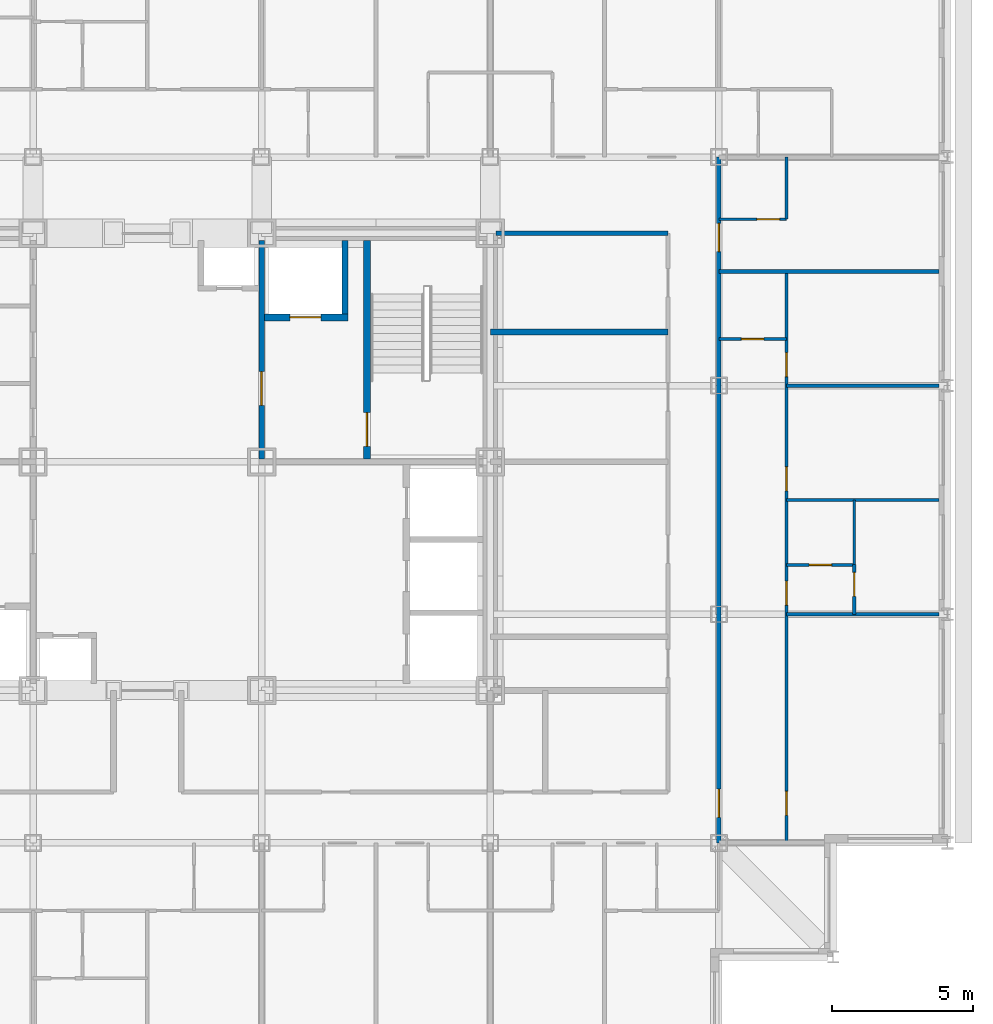
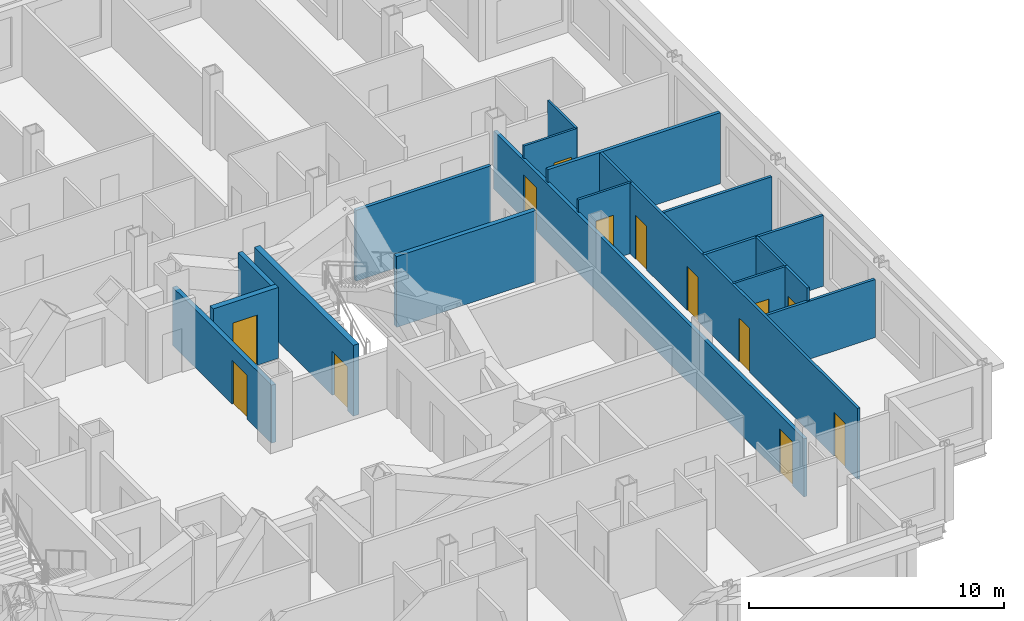
# One storey, part 8 of 12: 18 walls, 13 doors, 13 openings.
"""IFC4 building model written with IfcOpenShell, lengths in metres."""

from ifc_helpers import new_model, si_unit, direction, frame, frame_2d, origin, place, context, subcontext, project, spatial, rectangle, extrude, material, layer, layer_set, type_object, element, fill, save


model = new_model("IFC4")

# Units and contexts
model_context = context("Model", 3, precision=1e-05, world=origin(), true_north=direction((0.0, 1.0)))
body_context = subcontext(model_context, "Body", "Model", "MODEL_VIEW")
ifc_project = project(units=[si_unit("LENGTHUNIT", "METRE"), si_unit("AREAUNIT", "SQUARE_METRE"), si_unit("VOLUMEUNIT", "CUBIC_METRE"), si_unit("PLANEANGLEUNIT", "RADIAN"), si_unit("MASSUNIT", "GRAM", prefix="KILO")], contexts=[model_context])

# Site, building, storey
site_placement = place(None, origin())
site = spatial("IfcSite", under=ifc_project, at=site_placement, CompositionType="ELEMENT")
building_placement = place(site_placement, origin())
building = spatial("IfcBuilding", under=site, at=building_placement, Name="Kopane Lantern Tower", CompositionType="ELEMENT")
storey_placement = place(building_placement, frame((0.0, 0.0, 213.60009765625)))
storey = spatial("IfcBuildingStorey", under=building, at=storey_placement, Name="L55", CompositionType="ELEMENT", Elevation=213.60009765625)

# Wall, openings, doors
ifc_material_1 = material(Name="Gypsum board on steel studs", Category="steel")
ifc_layer_1 = layer(ifc_material_1, 0.1201171875)
ifc_layer_set_1 = layer_set([ifc_layer_1], Name="APARTMENT INTERNAL WALL 120")
wall_type_1 = type_object("IfcWallType", Name="APARTMENT INTERNAL WALL 120", PredefinedType="PARTITIONING", material=ifc_layer_set_1)
wall_1_placement = place(storey_placement, frame((51.0, 18.89990234375, 0.0), z_axis=(0.0, 0.0, 1.0), x_axis=(0.0, 1.0, 0.0)))
wall_1 = element("IfcWall", 1, at=wall_1_placement, inside=storey, type_object=wall_type_1, Name="Apartment Internal Wall 120 L55", PredefinedType="PARTITIONING", context=body_context, shape_type="SweptSolid", body=[
    extrude(rectangle(XDim=20.25, YDim=0.1201171875, at=frame_2d((10.125, 0.0))), origin(), (0.0, 0.0, 1.0), 3.389892578125),
])
opening_1_placement = place(wall_1_placement, frame((0.97509765625, 0.0, 0.0)))
opening_1 = element("IfcOpeningElement", 2, at=opening_1_placement, cuts=wall_1, Name="Opening L55-047", PredefinedType="OPENING", context=body_context, shape_type="SweptSolid", body=[
    extrude(rectangle(XDim=0.85009765625, YDim=2.10009765625, at=frame_2d((0.425048828125, 1.050048828125))), frame((0.0, 0.070068359375, 0.0), z_axis=(0.0, -1.0, 0.0), x_axis=(1.0, 0.0, 0.0)), (0.0, 0.0, 1.0), 0.14013671875),
])
opening_2_placement = place(wall_1_placement, frame((8.425048828125, 0.0, 0.0)))
opening_2 = element("IfcOpeningElement", 3, at=opening_2_placement, cuts=wall_1, Name="Opening L55-049", PredefinedType="OPENING", context=body_context, shape_type="SweptSolid", body=[
    extrude(rectangle(XDim=0.85009765625, YDim=2.10009765625, at=frame_2d((0.425048828125, 1.050048828125))), frame((0.0, 0.070068359375, 0.0), z_axis=(0.0, -1.0, 0.0), x_axis=(1.0, 0.0, 0.0)), (0.0, 0.0, 1.0), 0.14013671875),
])
opening_3_placement = place(wall_1_placement, frame((12.47509765625, 0.0, 0.0)))
opening_3 = element("IfcOpeningElement", 4, at=opening_3_placement, cuts=wall_1, Name="Opening L55-050", PredefinedType="OPENING", context=body_context, shape_type="SweptSolid", body=[
    extrude(rectangle(XDim=0.85009765625, YDim=2.10009765625, at=frame_2d((0.425048828125, 1.050048828125))), frame((0.0, 0.070068359375, 0.0), z_axis=(0.0, -1.0, 0.0), x_axis=(1.0, 0.0, 0.0)), (0.0, 0.0, 1.0), 0.14013671875),
])
opening_4_placement = place(wall_1_placement, frame((16.52490234375, 0.0, 0.0)))
opening_4 = element("IfcOpeningElement", 5, at=opening_4_placement, cuts=wall_1, Name="Opening L55-051", PredefinedType="OPENING", context=body_context, shape_type="SweptSolid", body=[
    extrude(rectangle(XDim=0.85009765625, YDim=2.10009765625, at=frame_2d((0.425048828125, 1.050048828125))), frame((0.0, 0.070068359375, 0.0), z_axis=(0.0, -1.0, 0.0), x_axis=(1.0, 0.0, 0.0)), (0.0, 0.0, 1.0), 0.14013671875),
])
ifc_material_2 = material(Name="Timber door set", Category="wood")
door_type_1 = type_object("IfcDoorType", Name="DOOR D4 850x2100", OperationType="SINGLE_SWING_LEFT", PredefinedType="DOOR", material=ifc_material_2)
door_1_placement = place(opening_1_placement, origin())
door_1 = element("IfcDoor", 6, at=door_1_placement, inside=storey, type_object=door_type_1, Name="Door L55-047", OperationType="SINGLE_SWING_LEFT", OverallHeight=2.10009765625, OverallWidth=0.85009765625, PredefinedType="DOOR", context=body_context, shape_type="SweptSolid", body=[
    extrude(rectangle(XDim=0.85009765625, YDim=2.10009765625, at=frame_2d((0.425048828125, 1.050048828125))), frame((0.0, 0.02490234375, 0.0), z_axis=(0.0, -1.0, 0.0), x_axis=(1.0, 0.0, 0.0)), (0.0, 0.0, 1.0), 0.050048828125),
])
fill(opening_1, door_1)
door_2_placement = place(opening_2_placement, origin())
door_2 = element("IfcDoor", 7, at=door_2_placement, inside=storey, type_object=door_type_1, Name="Door L55-049", OperationType="SINGLE_SWING_RIGHT", OverallHeight=2.10009765625, OverallWidth=0.85009765625, PredefinedType="DOOR", context=body_context, shape_type="SweptSolid", body=[
    extrude(rectangle(XDim=0.85009765625, YDim=2.10009765625, at=frame_2d((0.425048828125, 1.050048828125))), frame((0.0, 0.02490234375, 0.0), z_axis=(0.0, -1.0, 0.0), x_axis=(1.0, 0.0, 0.0)), (0.0, 0.0, 1.0), 0.050048828125),
])
fill(opening_2, door_2)
door_3_placement = place(opening_3_placement, origin())
door_3 = element("IfcDoor", 8, at=door_3_placement, inside=storey, type_object=door_type_1, Name="Door L55-050", OperationType="SINGLE_SWING_RIGHT", OverallHeight=2.10009765625, OverallWidth=0.85009765625, PredefinedType="DOOR", context=body_context, shape_type="SweptSolid", body=[
    extrude(rectangle(XDim=0.85009765625, YDim=2.10009765625, at=frame_2d((0.425048828125, 1.050048828125))), frame((0.0, 0.02490234375, 0.0), z_axis=(0.0, -1.0, 0.0), x_axis=(1.0, 0.0, 0.0)), (0.0, 0.0, 1.0), 0.050048828125),
])
fill(opening_3, door_3)
door_4_placement = place(opening_4_placement, origin())
door_4 = element("IfcDoor", 9, at=door_4_placement, inside=storey, type_object=door_type_1, Name="Door L55-051", OperationType="SINGLE_SWING_RIGHT", OverallHeight=2.10009765625, OverallWidth=0.85009765625, PredefinedType="DOOR", context=body_context, shape_type="SweptSolid", body=[
    extrude(rectangle(XDim=0.85009765625, YDim=2.10009765625, at=frame_2d((0.425048828125, 1.050048828125))), frame((0.0, 0.02490234375, 0.0), z_axis=(0.0, -1.0, 0.0), x_axis=(1.0, 0.0, 0.0)), (0.0, 0.0, 1.0), 0.050048828125),
])
fill(opening_4, door_4)

# Walls
wall_2_placement = place(storey_placement, frame((51.0, 27.0, 0.0), z_axis=(0.0, 0.0, 1.0), x_axis=(1.0, 0.0, 0.0)))
element("IfcWall", 10, at=wall_2_placement, inside=storey, type_object=wall_type_1, Name="Apartment Internal Wall 120 L55", PredefinedType="PARTITIONING", context=body_context, shape_type="SweptSolid", body=[
    extrude(rectangle(XDim=5.39990234375, YDim=0.1201171875, at=frame_2d((2.699951171875, 0.0))), origin(), (0.0, 0.0, 1.0), 2.777587890625),
])
wall_3_placement = place(storey_placement, frame((51.0, 31.050048828125, 0.0), z_axis=(0.0, 0.0, 1.0), x_axis=(1.0, 0.0, 0.0)))
element("IfcWall", 11, at=wall_3_placement, inside=storey, type_object=wall_type_1, Name="Apartment Internal Wall 120 L55", PredefinedType="PARTITIONING", context=body_context, shape_type="SweptSolid", body=[
    extrude(rectangle(XDim=5.39990234375, YDim=0.1201171875, at=frame_2d((2.699951171875, 0.0))), origin(), (0.0, 0.0, 1.0), 3.389892578125),
])
wall_4_placement = place(storey_placement, frame((51.0, 35.10009765625, 0.0), z_axis=(0.0, 0.0, 1.0), x_axis=(1.0, 0.0, 0.0)))
element("IfcWall", 12, at=wall_4_placement, inside=storey, type_object=wall_type_1, Name="Apartment Internal Wall 120 L55", PredefinedType="PARTITIONING", context=body_context, shape_type="SweptSolid", body=[
    extrude(rectangle(XDim=5.39990234375, YDim=0.1201171875, at=frame_2d((2.699951171875, 0.0))), origin(), (0.0, 0.0, 1.0), 2.777587890625),
])

# Wall, opening, door
wall_5_placement = place(storey_placement, frame((53.39990234375, 28.760009765625, 0.0), z_axis=(0.0, 0.0, 1.0), x_axis=(0.0, -1.0, 0.0)))
wall_5 = element("IfcWall", 13, at=wall_5_placement, inside=storey, type_object=wall_type_1, Name="Apartment Internal Wall 120 L55", PredefinedType="PARTITIONING", context=body_context, shape_type="SweptSolid", body=[
    extrude(rectangle(XDim=1.760009765625, YDim=0.1201171875, at=frame_2d((0.8798828125, 0.0))), origin(), (0.0, 0.0, 1.0), 3.389892578125),
])
opening_5_placement = place(wall_5_placement, frame((0.27490234375, 0.0, 0.0)))
opening_5 = element("IfcOpeningElement", 14, at=opening_5_placement, cuts=wall_5, Name="Opening L55-072", PredefinedType="OPENING", context=body_context, shape_type="SweptSolid", body=[
    extrude(rectangle(XDim=0.85009765625, YDim=2.10009765625, at=frame_2d((0.425048828125, 1.050048828125))), frame((0.0, 0.070068359375, 0.0), z_axis=(0.0, -1.0, 0.0), x_axis=(1.0, 0.0, 0.0)), (0.0, 0.0, 1.0), 0.14013671875),
])
door_5_placement = place(opening_5_placement, origin())
door_5 = element("IfcDoor", 15, at=door_5_placement, inside=storey, type_object=door_type_1, Name="Door L55-072", OperationType="SINGLE_SWING_RIGHT", OverallHeight=2.10009765625, OverallWidth=0.85009765625, PredefinedType="DOOR", context=body_context, shape_type="SweptSolid", body=[
    extrude(rectangle(XDim=0.85009765625, YDim=2.10009765625, at=frame_2d((0.425048828125, 1.050048828125))), frame((0.0, 0.02490234375, 0.0), z_axis=(0.0, -1.0, 0.0), x_axis=(1.0, 0.0, 0.0)), (0.0, 0.0, 1.0), 0.050048828125),
])
fill(opening_5, door_5)

ifc_material_3 = material(Name="Moisture-resistant board on steel studs", Category="steel")
ifc_layer_2 = layer(ifc_material_3, 0.10009765625)
ifc_layer_set_2 = layer_set([ifc_layer_2], Name="BATHROOM WALL 100")
wall_type_2 = type_object("IfcWallType", Name="BATHROOM WALL 100", PredefinedType="PARTITIONING", material=ifc_layer_set_2)
wall_6_placement = place(storey_placement, frame((48.60009765625, 36.75, 0.0), z_axis=(0.0, 0.0, 1.0), x_axis=(1.0, 0.0, 0.0)))
wall_6 = element("IfcWall", 16, at=wall_6_placement, inside=storey, type_object=wall_type_2, Name="Bathroom Wall 100 L55", PredefinedType="PARTITIONING", context=body_context, shape_type="SweptSolid", body=[
    extrude(rectangle(XDim=2.39990234375, YDim=0.10009765625, at=frame_2d((1.199951171875, 0.0))), origin(), (0.0, 0.0, 1.0), 3.389892578125),
])
opening_6_placement = place(wall_6_placement, frame((0.800048828125, 0.0, 0.0)))
opening_6 = element("IfcOpeningElement", 17, at=opening_6_placement, cuts=wall_6, Name="Opening L55-045", PredefinedType="OPENING", context=body_context, shape_type="SweptSolid", body=[
    extrude(rectangle(XDim=0.800048828125, YDim=2.10009765625, at=frame_2d((0.39990234375, 1.050048828125))), frame((0.0, 0.06005859375, 0.0), z_axis=(0.0, -1.0, 0.0), x_axis=(1.0, 0.0, 0.0)), (0.0, 0.0, 1.0), 0.1201171875),
])
ifc_material_4 = material(Name="Timber door set", Category="wood")
door_type_2 = type_object("IfcDoorType", Name="DOOR D2 800x2100", OperationType="SINGLE_SWING_LEFT", PredefinedType="DOOR", material=ifc_material_4)
door_6_placement = place(opening_6_placement, origin())
door_6 = element("IfcDoor", 18, at=door_6_placement, inside=storey, type_object=door_type_2, Name="Door L55-045", OperationType="SINGLE_SWING_LEFT", OverallHeight=2.10009765625, OverallWidth=0.800048828125, PredefinedType="DOOR", context=body_context, shape_type="SweptSolid", body=[
    extrude(rectangle(XDim=0.800048828125, YDim=2.10009765625, at=frame_2d((0.39990234375, 1.050048828125))), frame((0.0, 0.02490234375, 0.0), z_axis=(0.0, -1.0, 0.0), x_axis=(1.0, 0.0, 0.0)), (0.0, 0.0, 1.0), 0.050048828125),
])
fill(opening_6, door_6)

wall_7_placement = place(storey_placement, frame((51.0, 28.75, 0.0), z_axis=(0.0, 0.0, 1.0), x_axis=(1.0, 0.0, 0.0)))
wall_7 = element("IfcWall", 19, at=wall_7_placement, inside=storey, type_object=wall_type_2, Name="Bathroom Wall 100 L55", PredefinedType="PARTITIONING", context=body_context, shape_type="SweptSolid", body=[
    extrude(rectangle(XDim=2.39990234375, YDim=0.10009765625, at=frame_2d((1.199951171875, 0.0))), origin(), (0.0, 0.0, 1.0), 3.389892578125),
])
opening_7_placement = place(wall_7_placement, frame((0.800048828125, 0.0, 0.0)))
opening_7 = element("IfcOpeningElement", 20, at=opening_7_placement, cuts=wall_7, Name="Opening L55-048", PredefinedType="OPENING", context=body_context, shape_type="SweptSolid", body=[
    extrude(rectangle(XDim=0.800048828125, YDim=2.10009765625, at=frame_2d((0.39990234375, 1.050048828125))), frame((0.0, 0.06005859375, 0.0), z_axis=(0.0, -1.0, 0.0), x_axis=(1.0, 0.0, 0.0)), (0.0, 0.0, 1.0), 0.1201171875),
])
door_7_placement = place(opening_7_placement, origin())
door_7 = element("IfcDoor", 21, at=door_7_placement, inside=storey, type_object=door_type_2, Name="Door L55-048", OperationType="SINGLE_SWING_LEFT", OverallHeight=2.10009765625, OverallWidth=0.800048828125, PredefinedType="DOOR", context=body_context, shape_type="SweptSolid", body=[
    extrude(rectangle(XDim=0.800048828125, YDim=2.10009765625, at=frame_2d((0.39990234375, 1.050048828125))), frame((0.0, 0.02490234375, 0.0), z_axis=(0.0, -1.0, 0.0), x_axis=(1.0, 0.0, 0.0)), (0.0, 0.0, 1.0), 0.050048828125),
])
fill(opening_7, door_7)

# Walls
wall_8_placement = place(storey_placement, frame((53.39990234375, 28.75, 0.0), z_axis=(0.0, 0.0, 1.0), x_axis=(0.0, 1.0, 0.0)))
element("IfcWall", 22, at=wall_8_placement, inside=storey, type_object=wall_type_2, Name="Bathroom Wall 100 L55", PredefinedType="PARTITIONING", context=body_context, shape_type="SweptSolid", body=[
    extrude(rectangle(XDim=2.300048828125, YDim=0.10009765625, at=frame_2d((1.14990234375, 0.0))), origin(), (0.0, 0.0, 1.0), 3.389892578125),
])
wall_9_placement = place(storey_placement, frame((51.0, 41.0, 0.0), z_axis=(0.0, 0.0, 1.0), x_axis=(0.0, 1.0, 0.0)))
element("IfcWall", 23, at=wall_9_placement, inside=storey, type_object=wall_type_2, Name="Bathroom Wall 100 L55", PredefinedType="PARTITIONING", context=body_context, shape_type="SweptSolid", body=[
    extrude(rectangle(XDim=2.199951171875, YDim=0.10009765625, at=frame_2d((1.10009765625, 0.0))), origin(), (0.0, 0.0, 1.0), 3.389892578125),
])

# Wall, opening, door
wall_10_placement = place(storey_placement, frame((48.60009765625, 41.0, 0.0), z_axis=(0.0, 0.0, 1.0), x_axis=(1.0, 0.0, 0.0)))
wall_10 = element("IfcWall", 24, at=wall_10_placement, inside=storey, type_object=wall_type_2, Name="Bathroom Wall 100 L55", PredefinedType="PARTITIONING", context=body_context, shape_type="SweptSolid", body=[
    extrude(rectangle(XDim=2.39990234375, YDim=0.10009765625, at=frame_2d((1.199951171875, 0.0))), origin(), (0.0, 0.0, 1.0), 3.389892578125),
])
opening_8_placement = place(wall_10_placement, frame((1.35009765625, 0.0, 0.0)))
opening_8 = element("IfcOpeningElement", 25, at=opening_8_placement, cuts=wall_10, Name="Opening L55-052", PredefinedType="OPENING", context=body_context, shape_type="SweptSolid", body=[
    extrude(rectangle(XDim=0.800048828125, YDim=2.10009765625, at=frame_2d((0.39990234375, 1.050048828125))), frame((0.0, 0.06005859375, 0.0), z_axis=(0.0, -1.0, 0.0), x_axis=(1.0, 0.0, 0.0)), (0.0, 0.0, 1.0), 0.1201171875),
])
door_8_placement = place(opening_8_placement, origin())
door_8 = element("IfcDoor", 26, at=door_8_placement, inside=storey, type_object=door_type_2, Name="Door L55-052", OperationType="SINGLE_SWING_RIGHT", OverallHeight=2.10009765625, OverallWidth=0.800048828125, PredefinedType="DOOR", context=body_context, shape_type="SweptSolid", body=[
    extrude(rectangle(XDim=0.800048828125, YDim=2.10009765625, at=frame_2d((0.39990234375, 1.050048828125))), frame((0.0, 0.02490234375, 0.0), z_axis=(0.0, -1.0, 0.0), x_axis=(1.0, 0.0, 0.0)), (0.0, 0.0, 1.0), 0.050048828125),
])
fill(opening_8, door_8)

ifc_material_5 = material(Name="Gypsum shaft wall EI 120", Category="gypsum")
ifc_layer_3 = layer(ifc_material_5, 0.25)
ifc_layer_set_3 = layer_set([ifc_layer_3], Name="CORE SHAFT WALL 250 EI 120")
wall_type_3 = type_object("IfcWallType", Name="CORE SHAFT WALL 250 EI 120", PredefinedType="SOLIDWALL", material=ifc_layer_set_3)
wall_11_placement = place(storey_placement, frame((36.125, 32.5, 0.0), z_axis=(0.0, 0.0, 1.0), x_axis=(0.0, 1.0, 0.0)))
wall_11 = element("IfcWall", 27, at=wall_11_placement, inside=storey, type_object=wall_type_3, Name="Core shaft wall L55 XST2", PredefinedType="SOLIDWALL", context=body_context, shape_type="SweptSolid", body=[
    extrude(rectangle(XDim=7.75, YDim=0.25, at=frame_2d((3.875, 0.0))), origin(), (0.0, 0.0, 1.0), 3.389892578125),
])
opening_9_placement = place(wall_11_placement, frame((0.449951171875, 0.0, 0.0)))
opening_9 = element("IfcOpeningElement", 28, at=opening_9_placement, cuts=wall_11, Name="Opening 55.SD2", PredefinedType="OPENING", context=body_context, shape_type="SweptSolid", body=[
    extrude(rectangle(XDim=1.199951171875, YDim=2.10009765625, at=frame_2d((0.60009765625, 1.050048828125))), frame((0.0, 0.135009765625, 0.0), z_axis=(0.0, -1.0, 0.0), x_axis=(1.0, 0.0, 0.0)), (0.0, 0.0, 1.0), 0.27001953125),
])
ifc_material_6 = material(Name="Steel door set", Category="steel")
door_type_3 = type_object("IfcDoorType", Name="STAIR DOOR 1200x2100 FD60S", OperationType="SINGLE_SWING_LEFT", PredefinedType="DOOR", material=ifc_material_6)
door_9_placement = place(opening_9_placement, origin())
door_9 = element("IfcDoor", 29, at=door_9_placement, inside=storey, type_object=door_type_3, Name="Stair door ST2 L55", OperationType="SINGLE_SWING_RIGHT", OverallHeight=2.10009765625, OverallWidth=1.199951171875, PredefinedType="DOOR", context=body_context, shape_type="SweptSolid", body=[
    extrude(rectangle(XDim=1.199951171875, YDim=2.10009765625, at=frame_2d((0.60009765625, 1.050048828125))), frame((0.0, 0.02490234375, 0.0), z_axis=(0.0, -1.0, 0.0), x_axis=(1.0, 0.0, 0.0)), (0.0, 0.0, 1.0), 0.050048828125),
])
fill(opening_9, door_9)

wall_12_placement = place(storey_placement, frame((32.5, 37.52490234375, 0.0), z_axis=(0.0, 0.0, 1.0), x_axis=(1.0, 0.0, 0.0)))
wall_12 = element("IfcWall", 30, at=wall_12_placement, inside=storey, type_object=wall_type_3, Name="Core shaft wall L55 YLF2", PredefinedType="SOLIDWALL", context=body_context, shape_type="SweptSolid", body=[
    extrude(rectangle(XDim=2.949951171875, YDim=0.25, at=frame_2d((1.47509765625, 0.0))), origin(), (0.0, 0.0, 1.0), 3.389892578125),
])
opening_10_placement = place(wall_12_placement, frame((0.89990234375, 0.0, 0.0)))
opening_10 = element("IfcOpeningElement", 31, at=opening_10_placement, cuts=wall_12, Name="Opening 55.LD-LF2", PredefinedType="OPENING", context=body_context, shape_type="SweptSolid", body=[
    extrude(rectangle(XDim=1.10009765625, YDim=2.39990234375, at=frame_2d((0.550048828125, 1.199951171875))), frame((0.0, 0.135009765625, 0.0), z_axis=(0.0, -1.0, 0.0), x_axis=(1.0, 0.0, 0.0)), (0.0, 0.0, 1.0), 0.27001953125),
])
ifc_material_7 = material(Name="Steel door set", Category="steel")
door_type_4 = type_object("IfcDoorType", Name="LIFT LANDING DOOR 1100x2400 FD60", OperationType="DOUBLE_DOOR_SLIDING", PredefinedType="DOOR", material=ifc_material_7)
door_10_placement = place(opening_10_placement, origin())
door_10 = element("IfcDoor", 32, at=door_10_placement, inside=storey, type_object=door_type_4, Name="Landing door LF2 L55", OperationType="DOUBLE_DOOR_SLIDING", OverallHeight=2.39990234375, OverallWidth=1.10009765625, PredefinedType="DOOR", context=body_context, shape_type="SweptSolid", body=[
    extrude(rectangle(XDim=1.10009765625, YDim=2.39990234375, at=frame_2d((0.550048828125, 1.199951171875))), frame((0.0, 0.02490234375, 0.0), z_axis=(0.0, -1.0, 0.0), x_axis=(1.0, 0.0, 0.0)), (0.0, 0.0, 1.0), 0.050048828125),
])
fill(opening_10, door_10)

# Wall, openings, doors
ifc_material_8 = material(Name="Gypsum board on steel studs", Category="steel")
ifc_layer_4 = layer(ifc_material_8, 0.14990234375)
ifc_layer_set_4 = layer_set([ifc_layer_4], Name="CORRIDOR WALL 150 EI 60")
wall_type_4 = type_object("IfcWallType", Name="CORRIDOR WALL 150 EI 60", PredefinedType="PARTITIONING", material=ifc_layer_set_4)
wall_13_placement = place(storey_placement, frame((48.60009765625, 18.89990234375, 0.0), z_axis=(0.0, 0.0, 1.0), x_axis=(0.0, 1.0, 0.0)))
wall_13 = element("IfcWall", 33, at=wall_13_placement, inside=storey, type_object=wall_type_4, Name="Corridor Wall 150 Ei 60 L55", PredefinedType="PARTITIONING", context=body_context, shape_type="SweptSolid", body=[
    extrude(rectangle(XDim=24.300048828125, YDim=0.14990234375, at=frame_2d((12.14990234375, 0.0))), origin(), (0.0, 0.0, 1.0), 2.777587890625),
])
opening_11_placement = place(wall_13_placement, frame((0.89990234375, 0.0, 0.0)))
opening_11 = element("IfcOpeningElement", 34, at=opening_11_placement, cuts=wall_13, Name="Opening L55-046", PredefinedType="OPENING", context=body_context, shape_type="SweptSolid", body=[
    extrude(rectangle(XDim=1.0, YDim=2.10009765625, at=frame_2d((0.5, 1.050048828125))), frame((0.0, 0.0849609375, 0.0), z_axis=(0.0, -1.0, 0.0), x_axis=(1.0, 0.0, 0.0)), (0.0, 0.0, 1.0), 0.169921875),
])
opening_12_placement = place(wall_13_placement, frame((20.949951171875, 0.0, 0.0)))
opening_12 = element("IfcOpeningElement", 35, at=opening_12_placement, cuts=wall_13, Name="Opening L55-053", PredefinedType="OPENING", context=body_context, shape_type="SweptSolid", body=[
    extrude(rectangle(XDim=1.0, YDim=2.10009765625, at=frame_2d((0.5, 1.050048828125))), frame((0.0, 0.0849609375, 0.0), z_axis=(0.0, -1.0, 0.0), x_axis=(1.0, 0.0, 0.0)), (0.0, 0.0, 1.0), 0.169921875),
])
ifc_material_9 = material(Name="Steel door set", Category="steel")
door_type_5 = type_object("IfcDoorType", Name="DOOR D3 1000x2100 FD30S", OperationType="SINGLE_SWING_LEFT", PredefinedType="DOOR", material=ifc_material_9)
door_11_placement = place(opening_11_placement, origin())
door_11 = element("IfcDoor", 36, at=door_11_placement, inside=storey, type_object=door_type_5, Name="Door L55-046", OperationType="SINGLE_SWING_RIGHT", OverallHeight=2.10009765625, OverallWidth=1.0, PredefinedType="DOOR", context=body_context, shape_type="SweptSolid", body=[
    extrude(rectangle(XDim=1.0, YDim=2.10009765625, at=frame_2d((0.5, 1.050048828125))), frame((0.0, 0.02490234375, 0.0), z_axis=(0.0, -1.0, 0.0), x_axis=(1.0, 0.0, 0.0)), (0.0, 0.0, 1.0), 0.050048828125),
])
fill(opening_11, door_11)
door_12_placement = place(opening_12_placement, origin())
door_12 = element("IfcDoor", 37, at=door_12_placement, inside=storey, type_object=door_type_5, Name="Door L55-053", OperationType="SINGLE_SWING_LEFT", OverallHeight=2.10009765625, OverallWidth=1.0, PredefinedType="DOOR", context=body_context, shape_type="SweptSolid", body=[
    extrude(rectangle(XDim=1.0, YDim=2.10009765625, at=frame_2d((0.5, 1.050048828125))), frame((0.0, 0.02490234375, 0.0), z_axis=(0.0, -1.0, 0.0), x_axis=(1.0, 0.0, 0.0)), (0.0, 0.0, 1.0), 0.050048828125),
])
fill(opening_12, door_12)

# Walls
wall_14_placement = place(storey_placement, frame((46.800048828125, 40.5, 0.0), z_axis=(0.0, 0.0, 1.0), x_axis=(-1.0, 0.0, 0.0)))
element("IfcWall", 38, at=wall_14_placement, inside=storey, type_object=wall_type_4, Name="Corridor Wall 150 Ei 60 L55", PredefinedType="PARTITIONING", context=body_context, shape_type="SweptSolid", body=[
    extrude(rectangle(XDim=6.10009765625, YDim=0.14990234375, at=frame_2d((3.050048828125, 0.0))), origin(), (0.0, 0.0, 1.0), 3.389892578125),
])
ifc_material_10 = material(Name="Gypsum board on steel studs", Category="steel")
ifc_layer_5 = layer(ifc_material_10, 0.14990234375)
ifc_layer_set_5 = layer_set([ifc_layer_5], Name="DEMISING WALL 150 EI 60")
wall_type_5 = type_object("IfcWallType", Name="DEMISING WALL 150 EI 60", PredefinedType="PARTITIONING", material=ifc_layer_set_5)
wall_15_placement = place(storey_placement, frame((48.60009765625, 39.14990234375, 0.0), z_axis=(0.0, 0.0, 1.0), x_axis=(1.0, 0.0, 0.0)))
element("IfcWall", 39, at=wall_15_placement, inside=storey, type_object=wall_type_5, Name="Demising Wall 150 Ei 60 L55", PredefinedType="PARTITIONING", context=body_context, shape_type="SweptSolid", body=[
    extrude(rectangle(XDim=7.7998046875, YDim=0.14990234375, at=frame_2d((3.89990234375, 0.0))), origin(), (0.0, 0.0, 1.0), 3.389892578125),
])
ifc_material_11 = material(Name="Concrete masonry", Category="masonry")
ifc_layer_6 = layer(ifc_material_11, 0.199951171875)
ifc_layer_set_6 = layer_set([ifc_layer_6], Name="PLANT ROOM WALL 200 EI 120")
wall_type_6 = type_object("IfcWallType", Name="PLANT ROOM WALL 200 EI 120", PredefinedType="SOLIDWALL", material=ifc_layer_set_6)
wall_16_placement = place(storey_placement, frame((46.800048828125, 37.003173828125, 0.0), z_axis=(0.0, 0.0, 1.0), x_axis=(-1.0, 0.0, 0.0)))
element("IfcWall", 40, at=wall_16_placement, inside=storey, type_object=wall_type_6, Name="Plant Room Wall 200 Ei 120 L55", PredefinedType="SOLIDWALL", context=body_context, shape_type="SweptSolid", body=[
    extrude(rectangle(XDim=6.300048828125, YDim=0.199951171875, at=frame_2d((3.14990234375, 0.0))), origin(), (0.0, 0.0, 1.0), 3.389892578125),
])

# Wall, opening, door
ifc_material_12 = material(Name="Gypsum shaft wall EI 120", Category="gypsum")
ifc_layer_7 = layer(ifc_material_12, 0.199951171875)
ifc_layer_set_7 = layer_set([ifc_layer_7], Name="SHAFT WALL 200 EI 120")
wall_type_7 = type_object("IfcWallType", Name="SHAFT WALL 200 EI 120", PredefinedType="SOLIDWALL", material=ifc_layer_set_7)
wall_17_placement = place(storey_placement, frame((32.39990234375, 32.5, 0.0), z_axis=(0.0, 0.0, 1.0), x_axis=(0.0, 1.0, 0.0)))
wall_17 = element("IfcWall", 41, at=wall_17_placement, inside=storey, type_object=wall_type_7, Name="Core shaft wall L55 X324", PredefinedType="SOLIDWALL", context=body_context, shape_type="SweptSolid", body=[
    extrude(rectangle(XDim=7.75, YDim=0.199951171875, at=frame_2d((3.875, 0.0))), origin(), (0.0, 0.0, 1.0), 2.777587890625),
])
opening_13_placement = place(wall_17_placement, frame((1.89990234375, 0.0, 0.0)))
opening_13 = element("IfcOpeningElement", 42, at=opening_13_placement, cuts=wall_17, Name="Opening 55.FL2", PredefinedType="OPENING", context=body_context, shape_type="SweptSolid", body=[
    extrude(rectangle(XDim=1.199951171875, YDim=2.10009765625, at=frame_2d((0.60009765625, 1.050048828125))), frame((0.0, 0.10986328125, 0.0), z_axis=(0.0, -1.0, 0.0), x_axis=(1.0, 0.0, 0.0)), (0.0, 0.0, 1.0), 0.219970703125),
])
ifc_material_13 = material(Name="Steel door set", Category="steel")
door_type_6 = type_object("IfcDoorType", Name="FIREFIGHTING LOBBY DOOR 1200x2100 FD60S", OperationType="SINGLE_SWING_RIGHT", PredefinedType="DOOR", material=ifc_material_13)
door_13_placement = place(opening_13_placement, origin())
door_13 = element("IfcDoor", 43, at=door_13_placement, inside=storey, type_object=door_type_6, Name="Firefighting lobby door FL2 L55", OperationType="SINGLE_SWING_LEFT", OverallHeight=2.10009765625, OverallWidth=1.199951171875, PredefinedType="DOOR", context=body_context, shape_type="SweptSolid", body=[
    extrude(rectangle(XDim=1.199951171875, YDim=2.10009765625, at=frame_2d((0.60009765625, 1.050048828125))), frame((0.0, 0.02490234375, 0.0), z_axis=(0.0, -1.0, 0.0), x_axis=(1.0, 0.0, 0.0)), (0.0, 0.0, 1.0), 0.050048828125),
])
fill(opening_13, door_13)

# Wall
wall_18_placement = place(storey_placement, frame((35.35009765625, 37.64990234375, 0.0), z_axis=(0.0, 0.0, 1.0), x_axis=(0.0, 1.0, 0.0)))
element("IfcWall", 44, at=wall_18_placement, inside=storey, type_object=wall_type_7, Name="Core shaft wall L55 XLF2", PredefinedType="SOLIDWALL", context=body_context, shape_type="SweptSolid", body=[
    extrude(rectangle(XDim=2.60009765625, YDim=0.199951171875, at=frame_2d((1.300048828125, 0.0))), origin(), (0.0, 0.0, 1.0), 3.389892578125),
])

save(model, "model.ifc")
